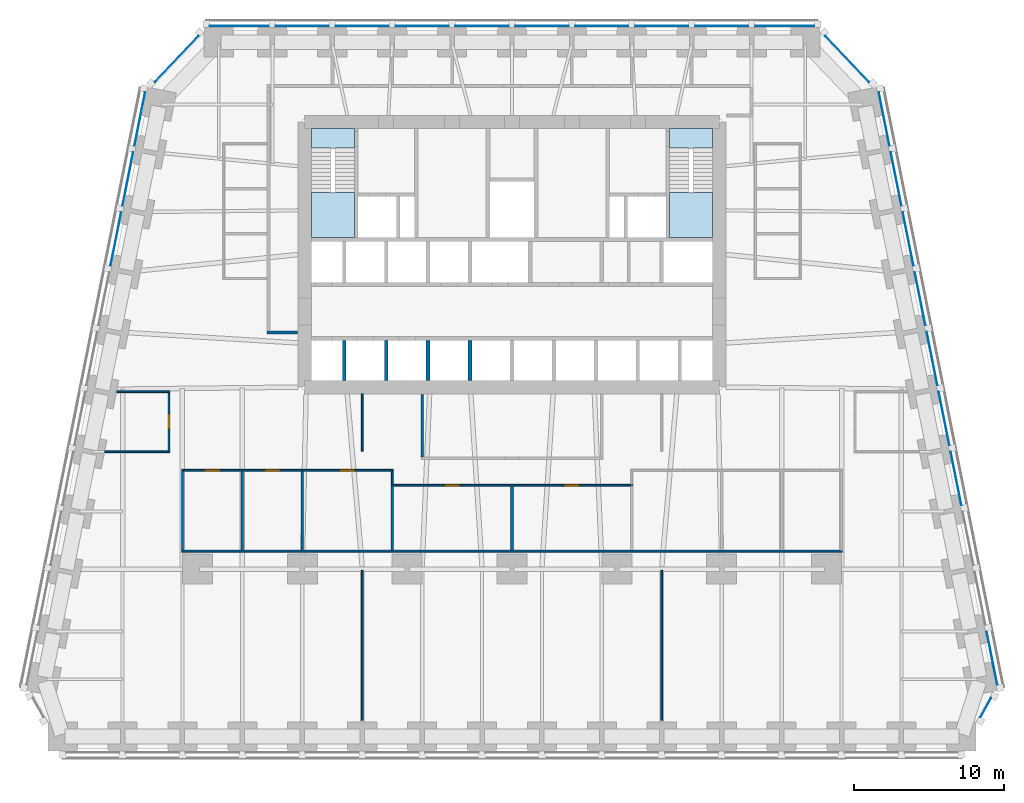
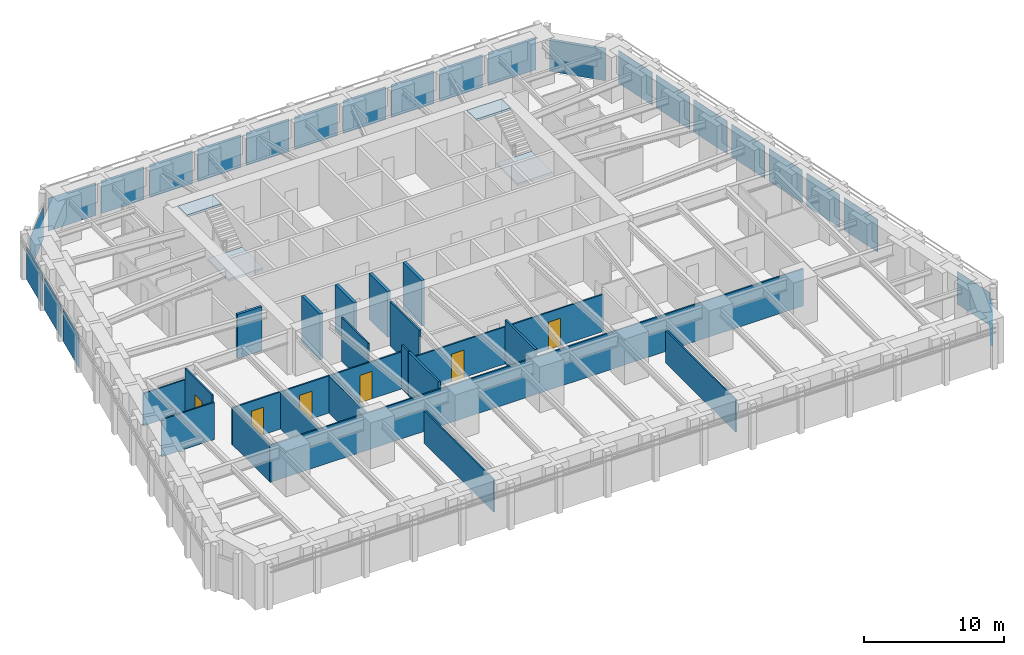
# One storey, part 5 of 10: 24 plates, 21 walls, 6 doors, 4 slabs, 6 openings, 8 elements without a shape of their own.
"""IFC4 building model written with IfcOpenShell, lengths in metres."""

from ifc_helpers import new_model, si_unit, direction, frame, frame_2d, origin, origin_2d, place, context, subcontext, project, spatial, polyline, rectangle, outline, extrude, material, layer, layer_set, type_object, element, fill, aggregate, save


model = new_model("IFC4")

# Units and contexts
model_context = context("Model", 3, precision=1e-05, world=origin(), true_north=direction((0.0, 1.0)))
body_context = subcontext(model_context, "Body", "Model", "MODEL_VIEW")
ifc_project = project(units=[si_unit("LENGTHUNIT", "METRE"), si_unit("AREAUNIT", "SQUARE_METRE"), si_unit("VOLUMEUNIT", "CUBIC_METRE"), si_unit("PLANEANGLEUNIT", "RADIAN"), si_unit("MASSUNIT", "GRAM", prefix="KILO")], contexts=[model_context])

# Site, building, storey
site_placement = place(None, origin())
site = spatial("IfcSite", under=ifc_project, at=site_placement, CompositionType="ELEMENT")
building_placement = place(site_placement, origin())
building = spatial("IfcBuilding", under=site, at=building_placement, Name="Isbrekke Arena Tower", CompositionType="ELEMENT")
storey_placement = place(building_placement, frame((0.0, 0.0, 72.0)))
storey = spatial("IfcBuildingStorey", under=building, at=storey_placement, Name="L15", CompositionType="ELEMENT", Elevation=72.0)

# Curtain wall, plate
ifc_material_1 = material(Name="Glazed aluminium curtain wall", Category="aluminium")
curtain_wall_type = type_object("IfcCurtainWallType", Name="CWL TOWER CURTAIN WALL LOW ZONE", PredefinedType="USERDEFINED", material=ifc_material_1)
curtain_wall_1_placement = place(storey_placement, origin())
curtain_wall_1 = element("IfcCurtainWall", 1, at=curtain_wall_1_placement, inside=storey, type_object=curtain_wall_type, Name="CWL curtain wall L15-SE", ObjectType="TOWER CURTAIN WALL LOW ZONE", PredefinedType="USERDEFINED")
ifc_material_2 = material(Name="Triple-glazed clear glass unit", Category="glass")
ifc_layer_1 = layer(ifc_material_2, 0.031982421875)
ifc_layer_set_1 = layer_set([ifc_layer_1], Name="CWL-P VISION PANEL")
plate_type = type_object("IfcPlateType", Name="CWL-P VISION PANEL", PredefinedType="CURTAIN_PANEL", material=ifc_layer_set_1)
plate_1_placement = place(storey_placement, frame((31.62744140625, -15.24853515625, 0.02001953125), z_axis=(0.0, 0.0, 1.0), x_axis=(0.481918749773, 0.876215908676, 0.0)))
plate_1 = element("IfcPlate", 2, at=plate_1_placement, type_object=plate_type, Name="CWL-P panel 1", PredefinedType="CURTAIN_PANEL", context=body_context, shape_type="SweptSolid", body=[
    extrude(rectangle(XDim=1.453369140625, YDim=0.031982421875, at=origin_2d()), origin(), (0.0, 0.0, 1.0), 2.8798828125),
])
aggregate(curtain_wall_1, [plate_1])

# Curtain wall, plates
curtain_wall_2_placement = place(storey_placement, origin())
curtain_wall_2 = element("IfcCurtainWall", 3, at=curtain_wall_2_placement, inside=storey, type_object=curtain_wall_type, Name="CWL curtain wall L15-E", ObjectType="TOWER CURTAIN WALL LOW ZONE", PredefinedType="USERDEFINED")
plate_2_placement = place(storey_placement, frame((32.045166015625, -11.950927734375, 0.02001953125), z_axis=(0.0, 0.0, 1.0), x_axis=(-0.196116135138, 0.980580675691, 0.0)))
plate_2 = element("IfcPlate", 4, at=plate_2_placement, type_object=plate_type, Name="CWL-P panel 1", PredefinedType="CURTAIN_PANEL", context=body_context, shape_type="SweptSolid", body=[
    extrude(rectangle(XDim=3.629150390625, YDim=0.031982421875, at=origin_2d()), origin(), (0.0, 0.0, 1.0), 2.8798828125),
])
plate_3_placement = place(storey_placement, frame((29.645263671875, 0.049072265625, 0.02001953125), z_axis=(0.0, 0.0, 1.0), x_axis=(-0.196116135138, 0.980580675691, 0.0)))
plate_3 = element("IfcPlate", 5, at=plate_3_placement, type_object=plate_type, Name="CWL-P panel 4", PredefinedType="CURTAIN_PANEL", context=body_context, shape_type="SweptSolid", body=[
    extrude(rectangle(XDim=3.629150390625, YDim=0.031982421875, at=origin_2d()), origin(), (0.0, 0.0, 1.0), 2.8798828125),
])
plate_4_placement = place(storey_placement, frame((28.84521484375, 4.049072265625, 0.02001953125), z_axis=(0.0, 0.0, 1.0), x_axis=(-0.196116135138, 0.980580675691, 0.0)))
plate_4 = element("IfcPlate", 6, at=plate_4_placement, type_object=plate_type, Name="CWL-P panel 5", PredefinedType="CURTAIN_PANEL", context=body_context, shape_type="SweptSolid", body=[
    extrude(rectangle(XDim=3.629150390625, YDim=0.031982421875, at=origin_2d()), origin(), (0.0, 0.0, 1.0), 2.8798828125),
])
plate_5_placement = place(storey_placement, frame((28.045166015625, 8.049072265625, 0.02001953125), z_axis=(0.0, 0.0, 1.0), x_axis=(-0.196116135138, 0.980580675691, 0.0)))
plate_5 = element("IfcPlate", 7, at=plate_5_placement, type_object=plate_type, Name="CWL-P panel 6", PredefinedType="CURTAIN_PANEL", context=body_context, shape_type="SweptSolid", body=[
    extrude(rectangle(XDim=3.629150390625, YDim=0.031982421875, at=origin_2d()), origin(), (0.0, 0.0, 1.0), 2.8798828125),
])
plate_6_placement = place(storey_placement, frame((27.2451171875, 12.049072265625, 0.02001953125), z_axis=(0.0, 0.0, 1.0), x_axis=(-0.196116135138, 0.980580675691, 0.0)))
plate_6 = element("IfcPlate", 8, at=plate_6_placement, type_object=plate_type, Name="CWL-P panel 7", PredefinedType="CURTAIN_PANEL", context=body_context, shape_type="SweptSolid", body=[
    extrude(rectangle(XDim=3.629150390625, YDim=0.031982421875, at=origin_2d()), origin(), (0.0, 0.0, 1.0), 2.8798828125),
])
plate_7_placement = place(storey_placement, frame((26.445068359375, 16.049072265625, 0.02001953125), z_axis=(0.0, 0.0, 1.0), x_axis=(-0.196116135138, 0.980580675691, 0.0)))
plate_7 = element("IfcPlate", 9, at=plate_7_placement, type_object=plate_type, Name="CWL-P panel 8", PredefinedType="CURTAIN_PANEL", context=body_context, shape_type="SweptSolid", body=[
    extrude(rectangle(XDim=3.629150390625, YDim=0.031982421875, at=origin_2d()), origin(), (0.0, 0.0, 1.0), 2.8798828125),
])
plate_8_placement = place(storey_placement, frame((25.645263671875, 20.049072265625, 0.02001953125), z_axis=(0.0, 0.0, 1.0), x_axis=(-0.196116135138, 0.980580675691, 0.0)))
plate_8 = element("IfcPlate", 10, at=plate_8_placement, type_object=plate_type, Name="CWL-P panel 9", PredefinedType="CURTAIN_PANEL", context=body_context, shape_type="SweptSolid", body=[
    extrude(rectangle(XDim=3.629150390625, YDim=0.031982421875, at=origin_2d()), origin(), (0.0, 0.0, 1.0), 2.8798828125),
])
plate_9_placement = place(storey_placement, frame((24.84521484375, 24.049072265625, 0.02001953125), z_axis=(0.0, 0.0, 1.0), x_axis=(-0.196116135138, 0.980580675691, 0.0)))
plate_9 = element("IfcPlate", 11, at=plate_9_placement, type_object=plate_type, Name="CWL-P panel 10", PredefinedType="CURTAIN_PANEL", context=body_context, shape_type="SweptSolid", body=[
    extrude(rectangle(XDim=3.629150390625, YDim=0.031982421875, at=origin_2d()), origin(), (0.0, 0.0, 1.0), 2.8798828125),
])
aggregate(curtain_wall_2, [plate_2, plate_3, plate_4, plate_5, plate_6, plate_7, plate_8, plate_9])

# Curtain wall, plate
curtain_wall_3_placement = place(storey_placement, origin())
curtain_wall_3 = element("IfcCurtainWall", 12, at=curtain_wall_3_placement, inside=storey, type_object=curtain_wall_type, Name="CWL curtain wall L15-EN", ObjectType="TOWER CURTAIN WALL LOW ZONE", PredefinedType="USERDEFINED")
plate_10_placement = place(storey_placement, frame((22.386474609375, 28.05419921875, 0.02001953125), z_axis=(0.0, 0.0, 1.0), x_axis=(-0.68874946192, 0.72499943359, 0.0)))
plate_10 = element("IfcPlate", 13, at=plate_10_placement, type_object=plate_type, Name="CWL-P panel 1", PredefinedType="CURTAIN_PANEL", context=body_context, shape_type="SweptSolid", body=[
    extrude(rectangle(XDim=4.22900390625, YDim=0.031982421875, at=origin_2d()), origin(), (0.0, 0.0, 1.0), 2.8798828125),
])
aggregate(curtain_wall_3, [plate_10])

# Curtain wall, plates
curtain_wall_4_placement = place(storey_placement, origin())
curtain_wall_4 = element("IfcCurtainWall", 14, at=curtain_wall_4_placement, inside=storey, type_object=curtain_wall_type, Name="CWL curtain wall L15-N", ObjectType="TOWER CURTAIN WALL LOW ZONE", PredefinedType="USERDEFINED")
plate_11_placement = place(storey_placement, frame((18.199951171875, 30.25, 0.02001953125), z_axis=(0.0, 0.0, 1.0), x_axis=(-1.0, 0.0, 0.0)))
plate_11 = element("IfcPlate", 15, at=plate_11_placement, type_object=plate_type, Name="CWL-P panel 1", PredefinedType="CURTAIN_PANEL", context=body_context, shape_type="SweptSolid", body=[
    extrude(rectangle(XDim=3.949951171875, YDim=0.031982421875, at=origin_2d()), origin(), (0.0, 0.0, 1.0), 2.8798828125),
])
plate_12_placement = place(storey_placement, frame((14.0, 30.25, 0.02001953125), z_axis=(0.0, 0.0, 1.0), x_axis=(-1.0, 0.0, 0.0)))
plate_12 = element("IfcPlate", 16, at=plate_12_placement, type_object=plate_type, Name="CWL-P panel 2", PredefinedType="CURTAIN_PANEL", context=body_context, shape_type="SweptSolid", body=[
    extrude(rectangle(XDim=3.550048828125, YDim=0.031982421875, at=origin_2d()), origin(), (0.0, 0.0, 1.0), 2.8798828125),
])
plate_13_placement = place(storey_placement, frame((10.0, 30.25, 0.02001953125), z_axis=(0.0, 0.0, 1.0), x_axis=(-1.0, 0.0, 0.0)))
plate_13 = element("IfcPlate", 17, at=plate_13_placement, type_object=plate_type, Name="CWL-P panel 3", PredefinedType="CURTAIN_PANEL", context=body_context, shape_type="SweptSolid", body=[
    extrude(rectangle(XDim=3.550048828125, YDim=0.031982421875, at=origin_2d()), origin(), (0.0, 0.0, 1.0), 2.8798828125),
])
plate_14_placement = place(storey_placement, frame((6.0, 30.25, 0.02001953125), z_axis=(0.0, 0.0, 1.0), x_axis=(-1.0, 0.0, 0.0)))
plate_14 = element("IfcPlate", 18, at=plate_14_placement, type_object=plate_type, Name="CWL-P panel 4", PredefinedType="CURTAIN_PANEL", context=body_context, shape_type="SweptSolid", body=[
    extrude(rectangle(XDim=3.550048828125, YDim=0.031982421875, at=origin_2d()), origin(), (0.0, 0.0, 1.0), 2.8798828125),
])
plate_15_placement = place(storey_placement, frame((2.0, 30.25, 0.02001953125), z_axis=(0.0, 0.0, 1.0), x_axis=(-1.0, 0.0, 0.0)))
plate_15 = element("IfcPlate", 19, at=plate_15_placement, type_object=plate_type, Name="CWL-P panel 5", PredefinedType="CURTAIN_PANEL", context=body_context, shape_type="SweptSolid", body=[
    extrude(rectangle(XDim=3.550048828125, YDim=0.031982421875, at=origin_2d()), origin(), (0.0, 0.0, 1.0), 2.8798828125),
])
plate_16_placement = place(storey_placement, frame((-2.0, 30.25, 0.02001953125), z_axis=(0.0, 0.0, 1.0), x_axis=(-1.0, 0.0, 0.0)))
plate_16 = element("IfcPlate", 20, at=plate_16_placement, type_object=plate_type, Name="CWL-P panel 6", PredefinedType="CURTAIN_PANEL", context=body_context, shape_type="SweptSolid", body=[
    extrude(rectangle(XDim=3.550048828125, YDim=0.031982421875, at=origin_2d()), origin(), (0.0, 0.0, 1.0), 2.8798828125),
])
plate_17_placement = place(storey_placement, frame((-6.0, 30.25, 0.02001953125), z_axis=(0.0, 0.0, 1.0), x_axis=(-1.0, 0.0, 0.0)))
plate_17 = element("IfcPlate", 21, at=plate_17_placement, type_object=plate_type, Name="CWL-P panel 7", PredefinedType="CURTAIN_PANEL", context=body_context, shape_type="SweptSolid", body=[
    extrude(rectangle(XDim=3.550048828125, YDim=0.031982421875, at=origin_2d()), origin(), (0.0, 0.0, 1.0), 2.8798828125),
])
plate_18_placement = place(storey_placement, frame((-10.0, 30.25, 0.02001953125), z_axis=(0.0, 0.0, 1.0), x_axis=(-1.0, 0.0, 0.0)))
plate_18 = element("IfcPlate", 22, at=plate_18_placement, type_object=plate_type, Name="CWL-P panel 8", PredefinedType="CURTAIN_PANEL", context=body_context, shape_type="SweptSolid", body=[
    extrude(rectangle(XDim=3.550048828125, YDim=0.031982421875, at=origin_2d()), origin(), (0.0, 0.0, 1.0), 2.8798828125),
])
plate_19_placement = place(storey_placement, frame((-14.0, 30.25, 0.02001953125), z_axis=(0.0, 0.0, 1.0), x_axis=(-1.0, 0.0, 0.0)))
plate_19 = element("IfcPlate", 23, at=plate_19_placement, type_object=plate_type, Name="CWL-P panel 9", PredefinedType="CURTAIN_PANEL", context=body_context, shape_type="SweptSolid", body=[
    extrude(rectangle(XDim=3.550048828125, YDim=0.031982421875, at=origin_2d()), origin(), (0.0, 0.0, 1.0), 2.8798828125),
])
plate_20_placement = place(storey_placement, frame((-18.199951171875, 30.25, 0.02001953125), z_axis=(0.0, 0.0, 1.0), x_axis=(-1.0, 0.0, 0.0)))
plate_20 = element("IfcPlate", 24, at=plate_20_placement, type_object=plate_type, Name="CWL-P panel 10", PredefinedType="CURTAIN_PANEL", context=body_context, shape_type="SweptSolid", body=[
    extrude(rectangle(XDim=3.949951171875, YDim=0.031982421875, at=origin_2d()), origin(), (0.0, 0.0, 1.0), 2.8798828125),
])
aggregate(curtain_wall_4, [plate_11, plate_12, plate_13, plate_14, plate_15, plate_16, plate_17, plate_18, plate_19, plate_20])

# Curtain wall, plate
curtain_wall_5_placement = place(storey_placement, origin())
curtain_wall_5 = element("IfcCurtainWall", 25, at=curtain_wall_5_placement, inside=storey, type_object=curtain_wall_type, Name="CWL curtain wall L15-NW", ObjectType="TOWER CURTAIN WALL LOW ZONE", PredefinedType="USERDEFINED")
plate_21_placement = place(storey_placement, frame((-22.38623046875, 28.054443359375, 0.02001953125), z_axis=(0.0, 0.0, 1.0), x_axis=(-0.68874946192, -0.72499943359, 0.0)))
plate_21 = element("IfcPlate", 26, at=plate_21_placement, type_object=plate_type, Name="CWL-P panel 1", PredefinedType="CURTAIN_PANEL", context=body_context, shape_type="SweptSolid", body=[
    extrude(rectangle(XDim=4.22802734375, YDim=0.031982421875, at=origin_2d()), origin(), (0.0, 0.0, 1.0), 2.8798828125),
])
aggregate(curtain_wall_5, [plate_21])

# Curtain wall, plates
curtain_wall_6_placement = place(storey_placement, origin())
curtain_wall_6 = element("IfcCurtainWall", 27, at=curtain_wall_6_placement, inside=storey, type_object=curtain_wall_type, Name="CWL curtain wall L15-W", ObjectType="TOWER CURTAIN WALL LOW ZONE", PredefinedType="USERDEFINED")
plate_22_placement = place(storey_placement, frame((-24.84521484375, 24.049072265625, 0.02001953125), z_axis=(0.0, 0.0, 1.0), x_axis=(-0.196116135138, -0.980580675691, 0.0)))
plate_22 = element("IfcPlate", 28, at=plate_22_placement, type_object=plate_type, Name="CWL-P panel 1", PredefinedType="CURTAIN_PANEL", context=body_context, shape_type="SweptSolid", body=[
    extrude(rectangle(XDim=3.629150390625, YDim=0.031982421875, at=origin_2d()), origin(), (0.0, 0.0, 1.0), 2.8798828125),
])
plate_23_placement = place(storey_placement, frame((-25.645263671875, 20.049072265625, 0.02001953125), z_axis=(0.0, 0.0, 1.0), x_axis=(-0.196116135138, -0.980580675691, 0.0)))
plate_23 = element("IfcPlate", 29, at=plate_23_placement, type_object=plate_type, Name="CWL-P panel 2", PredefinedType="CURTAIN_PANEL", context=body_context, shape_type="SweptSolid", body=[
    extrude(rectangle(XDim=3.629150390625, YDim=0.031982421875, at=origin_2d()), origin(), (0.0, 0.0, 1.0), 2.8798828125),
])
plate_24_placement = place(storey_placement, frame((-26.445068359375, 16.049072265625, 0.02001953125), z_axis=(0.0, 0.0, 1.0), x_axis=(-0.196116135138, -0.980580675691, 0.0)))
plate_24 = element("IfcPlate", 30, at=plate_24_placement, type_object=plate_type, Name="CWL-P panel 3", PredefinedType="CURTAIN_PANEL", context=body_context, shape_type="SweptSolid", body=[
    extrude(rectangle(XDim=3.629150390625, YDim=0.031982421875, at=origin_2d()), origin(), (0.0, 0.0, 1.0), 2.8798828125),
])
aggregate(curtain_wall_6, [plate_22, plate_23, plate_24])

# Stair, slabs
ifc_material_3 = material(Name="Concrete B45 (C45/55) precast", Category="concrete")
stair_type = type_object("IfcStairType", Name="ST40 STAIR 1300 WIDE, 24 RISERS 167", PredefinedType="HALF_TURN_STAIR", material=ifc_material_3)
stair_1_placement = place(storey_placement, origin())
stair_1 = element("IfcStair", 31, at=stair_1_placement, inside=storey, type_object=stair_type, Name="ST1 stair L15", PredefinedType="HALF_TURN_STAIR")
ifc_material_4 = material(Name="Concrete B35 (C35/45)", Category="concrete")
ifc_layer_2 = layer(ifc_material_4, 0.199951171875)
ifc_layer_set_2 = layer_set([ifc_layer_2], Name="SL1 STAIR LANDING 200")
slab_type = type_object("IfcSlabType", Name="SL1 STAIR LANDING 200", PredefinedType="LANDING", material=ifc_layer_set_2)
slab_1_placement = place(storey_placement, frame((0.0, 0.0, 1.800048828125)))
slab_1 = element("IfcSlab", 32, at=slab_1_placement, type_object=slab_type, Name="ST1 landing 1", PredefinedType="LANDING", context=body_context, shape_type="SweptSolid", body=[
    extrude(outline(polyline([(-13.39990234375, 16.125), (-10.52490234375, 16.125), (-10.52490234375, 19.1298828125), (-13.39990234375, 19.1298828125), (-13.39990234375, 16.125)])), origin(), (0.0, 0.0, 1.0), 0.199951171875),
])
slab_2_placement = place(storey_placement, frame((0.0, 0.0, 3.800048828125)))
slab_2 = element("IfcSlab", 33, at=slab_2_placement, type_object=slab_type, Name="ST1 landing 2", PredefinedType="LANDING", context=body_context, shape_type="SweptSolid", body=[
    extrude(outline(polyline([(-13.39990234375, 22.10009765625), (-10.52490234375, 22.10009765625), (-10.52490234375, 23.39990234375), (-13.39990234375, 23.39990234375), (-13.39990234375, 22.10009765625)])), origin(), (0.0, 0.0, 1.0), 0.199951171875),
])
aggregate(stair_1, [slab_1, slab_2])

stair_2_placement = place(storey_placement, origin())
stair_2 = element("IfcStair", 34, at=stair_2_placement, inside=storey, type_object=stair_type, Name="ST2 stair L15", PredefinedType="HALF_TURN_STAIR")
slab_3_placement = place(storey_placement, frame((0.0, 0.0, 1.800048828125)))
slab_3 = element("IfcSlab", 35, at=slab_3_placement, type_object=slab_type, Name="ST2 landing 1", PredefinedType="LANDING", context=body_context, shape_type="SweptSolid", body=[
    extrude(outline(polyline([(10.52490234375, 16.125), (13.39990234375, 16.125), (13.39990234375, 19.1298828125), (10.52490234375, 19.1298828125), (10.52490234375, 16.125)])), origin(), (0.0, 0.0, 1.0), 0.199951171875),
])
slab_4_placement = place(storey_placement, frame((0.0, 0.0, 3.800048828125)))
slab_4 = element("IfcSlab", 36, at=slab_4_placement, type_object=slab_type, Name="ST2 landing 2", PredefinedType="LANDING", context=body_context, shape_type="SweptSolid", body=[
    extrude(outline(polyline([(10.52490234375, 22.10009765625), (13.39990234375, 22.10009765625), (13.39990234375, 23.39990234375), (10.52490234375, 23.39990234375), (10.52490234375, 22.10009765625)])), origin(), (0.0, 0.0, 1.0), 0.199951171875),
])
aggregate(stair_2, [slab_3, slab_4])

# Walls
ifc_material_5 = material(Name="Concrete B45 (C45/55)", Category="concrete")
ifc_layer_3 = layer(ifc_material_5, 0.25)
ifc_layer_set_3 = layer_set([ifc_layer_3], Name="CW6 SHAFT WALL 250")
wall_type_1 = type_object("IfcWallType", Name="CW6 SHAFT WALL 250", PredefinedType="SHEAR", material=ifc_layer_set_3)
for number, where, z_axis, x_axis, name in (
    (37, (-11.199951171875, 6.60009765625, 0.0), (0.0, 0.0, 1.0), (0.0, 1.0, 0.0), "Core wall SS01 L15"),
    (38, (-8.39990234375, 6.60009765625, 0.0), (0.0, 0.0, 1.0), (0.0, 1.0, 0.0), "Core wall SS02 L15"),
    (39, (-5.60009765625, 6.60009765625, 0.0), (0.0, 0.0, 1.0), (0.0, 1.0, 0.0), "Core wall SS03 L15"),
    (40, (-2.800048828125, 6.60009765625, 0.0), (0.0, 0.0, 1.0), (0.0, 1.0, 0.0), "Core wall SS04 L15"),
):
    element("IfcWall", number, at=place(storey_placement, frame(where, z_axis=z_axis, x_axis=x_axis)), inside=storey, type_object=wall_type_1, Name=name, PredefinedType="SHEAR", context=body_context, shape_type="SweptSolid", body=[
        extrude(rectangle(XDim=2.6748046875, YDim=0.25, at=frame_2d((1.33740234375, 0.0))), origin(), (0.0, 0.0, 1.0), 4.0),
    ])
ifc_material_6 = material(Name="Gypsum board partition on steel studs", Category="steel")
ifc_layer_4 = layer(ifc_material_6, 0.14990234375)
ifc_layer_set_4 = layer_set([ifc_layer_4], Name="IW1 PARTITION 150")
wall_type_2 = type_object("IfcWallType", Name="IW1 PARTITION 150", PredefinedType="PARTITIONING", material=ifc_layer_set_4)
wall_1_placement = place(storey_placement, frame((-6.0, 1.47509765625, 0.0), z_axis=(0.0, 0.0, 1.0), x_axis=(0.0, 1.0, 0.0)))
element("IfcWall", 41, at=wall_1_placement, inside=storey, type_object=wall_type_2, Name="IW1 partition 150 L15", PredefinedType="PARTITIONING", context=body_context, shape_type="SweptSolid", body=[
    extrude(rectangle(XDim=4.19482421875, YDim=0.14990234375, at=frame_2d((2.097412109375, 0.0))), origin(), (0.0, 0.0, 1.0), 3.85009765625),
])
ifc_material_7 = material(Name="Frameless glazed partition, laminated acoustic glass", Category="glass")
ifc_layer_5 = layer(ifc_material_7, 0.1201171875)
ifc_layer_set_5 = layer_set([ifc_layer_5], Name="IW2 GLAZED PARTITION 120")
wall_type_3 = type_object("IfcWallType", Name="IW2 GLAZED PARTITION 120", PredefinedType="PARTITIONING", material=ifc_layer_set_5)
wall_2_placement = place(storey_placement, frame((-22.06005859375, -4.800048828125, 0.0), z_axis=(0.0, 0.0, 1.0), x_axis=(1.0, 0.0, 0.0)))
element("IfcWall", 42, at=wall_2_placement, inside=storey, type_object=wall_type_3, Name="IW2 glazed partition 120 L15", PredefinedType="PARTITIONING", context=body_context, shape_type="SweptSolid", body=[
    extrude(rectangle(XDim=44.1201171875, YDim=0.1201171875, at=frame_2d((22.06005859375, 0.0))), origin(), (0.0, 0.0, 1.0), 3.25),
])

# Wall, openings, doors
wall_3_placement = place(storey_placement, frame((-8.06005859375, -0.39990234375, 0.0), z_axis=(0.0, 0.0, 1.0), x_axis=(1.0, 0.0, 0.0)))
wall_3 = element("IfcWall", 43, at=wall_3_placement, inside=storey, type_object=wall_type_3, Name="IW2 glazed partition 120 L15", PredefinedType="PARTITIONING", context=body_context, shape_type="SweptSolid", body=[
    extrude(rectangle(XDim=16.1201171875, YDim=0.1201171875, at=frame_2d((8.06005859375, 0.0))), origin(), (0.0, 0.0, 1.0), 3.25),
])
opening_1_placement = place(wall_3_placement, frame((3.56005859375, 0.0, 0.0)))
opening_1 = element("IfcOpeningElement", 44, at=opening_1_placement, cuts=wall_3, Name="Opening D11", PredefinedType="OPENING", context=body_context, shape_type="SweptSolid", body=[
    extrude(rectangle(XDim=1.0, YDim=2.39990234375, at=frame_2d((0.5, 1.199951171875))), frame((0.0, 0.074951171875, 0.0), z_axis=(0.0, -1.0, 0.0), x_axis=(1.0, 0.0, 0.0)), (0.0, 0.0, 1.0), 0.14990234375),
])
opening_2_placement = place(wall_3_placement, frame((11.56005859375, 0.0, 0.0)))
opening_2 = element("IfcOpeningElement", 45, at=opening_2_placement, cuts=wall_3, Name="Opening D11", PredefinedType="OPENING", context=body_context, shape_type="SweptSolid", body=[
    extrude(rectangle(XDim=1.0, YDim=2.39990234375, at=frame_2d((0.5, 1.199951171875))), frame((0.0, 0.074951171875, 0.0), z_axis=(0.0, -1.0, 0.0), x_axis=(1.0, 0.0, 0.0)), (0.0, 0.0, 1.0), 0.14990234375),
])
ifc_material_8 = material(Name="Frameless glazed door", Category="glass")
door_type = type_object("IfcDoorType", Name="D11 GLAZED MEETING ROOM DOOR 1000 x 2400", OperationType="SINGLE_SWING_RIGHT", PredefinedType="DOOR", material=ifc_material_8)
door_1_placement = place(opening_1_placement, origin())
door_1 = element("IfcDoor", 46, at=door_1_placement, inside=storey, type_object=door_type, Name="D11 meeting room door L15", OperationType="SINGLE_SWING_RIGHT", OverallHeight=2.39990234375, OverallWidth=1.0, PredefinedType="DOOR", context=body_context, shape_type="SweptSolid", body=[
    extrude(rectangle(XDim=1.0, YDim=2.39990234375, at=frame_2d((0.5, 1.199951171875))), frame((0.0, 0.059814453125, 0.0), z_axis=(0.0, -1.0, 0.0), x_axis=(1.0, 0.0, 0.0)), (0.0, 0.0, 1.0), 0.11962890625),
])
fill(opening_1, door_1)
door_2_placement = place(opening_2_placement, origin())
door_2 = element("IfcDoor", 47, at=door_2_placement, inside=storey, type_object=door_type, Name="D11 meeting room door L15", OperationType="SINGLE_SWING_RIGHT", OverallHeight=2.39990234375, OverallWidth=1.0, PredefinedType="DOOR", context=body_context, shape_type="SweptSolid", body=[
    extrude(rectangle(XDim=1.0, YDim=2.39990234375, at=frame_2d((0.5, 1.199951171875))), frame((0.0, 0.059814453125, 0.0), z_axis=(0.0, -1.0, 0.0), x_axis=(1.0, 0.0, 0.0)), (0.0, 0.0, 1.0), 0.11962890625),
])
fill(opening_2, door_2)

wall_4_placement = place(storey_placement, frame((-22.06005859375, 0.60009765625, 0.0), z_axis=(0.0, 0.0, 1.0), x_axis=(1.0, 0.0, 0.0)))
wall_4 = element("IfcWall", 48, at=wall_4_placement, inside=storey, type_object=wall_type_3, Name="IW2 glazed partition 120 L15", PredefinedType="PARTITIONING", context=body_context, shape_type="SweptSolid", body=[
    extrude(rectangle(XDim=14.1201171875, YDim=0.1201171875, at=frame_2d((7.06005859375, 0.0))), origin(), (0.0, 0.0, 1.0), 3.25),
])
opening_3_placement = place(wall_4_placement, frame((1.56005859375, 0.0, 0.0)))
opening_3 = element("IfcOpeningElement", 49, at=opening_3_placement, cuts=wall_4, Name="Opening D11", PredefinedType="OPENING", context=body_context, shape_type="SweptSolid", body=[
    extrude(rectangle(XDim=1.0, YDim=2.39990234375, at=frame_2d((0.5, 1.199951171875))), frame((0.0, 0.074951171875, 0.0), z_axis=(0.0, -1.0, 0.0), x_axis=(1.0, 0.0, 0.0)), (0.0, 0.0, 1.0), 0.14990234375),
])
opening_4_placement = place(wall_4_placement, frame((5.56005859375, 0.0, 0.0)))
opening_4 = element("IfcOpeningElement", 50, at=opening_4_placement, cuts=wall_4, Name="Opening D11", PredefinedType="OPENING", context=body_context, shape_type="SweptSolid", body=[
    extrude(rectangle(XDim=1.0, YDim=2.39990234375, at=frame_2d((0.5, 1.199951171875))), frame((0.0, 0.074951171875, 0.0), z_axis=(0.0, -1.0, 0.0), x_axis=(1.0, 0.0, 0.0)), (0.0, 0.0, 1.0), 0.14990234375),
])
opening_5_placement = place(wall_4_placement, frame((10.56005859375, 0.0, 0.0)))
opening_5 = element("IfcOpeningElement", 51, at=opening_5_placement, cuts=wall_4, Name="Opening D11", PredefinedType="OPENING", context=body_context, shape_type="SweptSolid", body=[
    extrude(rectangle(XDim=1.0, YDim=2.39990234375, at=frame_2d((0.5, 1.199951171875))), frame((0.0, 0.074951171875, 0.0), z_axis=(0.0, -1.0, 0.0), x_axis=(1.0, 0.0, 0.0)), (0.0, 0.0, 1.0), 0.14990234375),
])
door_3_placement = place(opening_3_placement, origin())
door_3 = element("IfcDoor", 52, at=door_3_placement, inside=storey, type_object=door_type, Name="D11 meeting room door L15", OperationType="SINGLE_SWING_RIGHT", OverallHeight=2.39990234375, OverallWidth=1.0, PredefinedType="DOOR", context=body_context, shape_type="SweptSolid", body=[
    extrude(rectangle(XDim=1.0, YDim=2.39990234375, at=frame_2d((0.5, 1.199951171875))), frame((0.0, 0.059814453125, 0.0), z_axis=(0.0, -1.0, 0.0), x_axis=(1.0, 0.0, 0.0)), (0.0, 0.0, 1.0), 0.11962890625),
])
fill(opening_3, door_3)
door_4_placement = place(opening_4_placement, origin())
door_4 = element("IfcDoor", 53, at=door_4_placement, inside=storey, type_object=door_type, Name="D11 meeting room door L15", OperationType="SINGLE_SWING_RIGHT", OverallHeight=2.39990234375, OverallWidth=1.0, PredefinedType="DOOR", context=body_context, shape_type="SweptSolid", body=[
    extrude(rectangle(XDim=1.0, YDim=2.39990234375, at=frame_2d((0.5, 1.199951171875))), frame((0.0, 0.059814453125, 0.0), z_axis=(0.0, -1.0, 0.0), x_axis=(1.0, 0.0, 0.0)), (0.0, 0.0, 1.0), 0.11962890625),
])
fill(opening_4, door_4)
door_5_placement = place(opening_5_placement, origin())
door_5 = element("IfcDoor", 54, at=door_5_placement, inside=storey, type_object=door_type, Name="D11 meeting room door L15", OperationType="SINGLE_SWING_RIGHT", OverallHeight=2.39990234375, OverallWidth=1.0, PredefinedType="DOOR", context=body_context, shape_type="SweptSolid", body=[
    extrude(rectangle(XDim=1.0, YDim=2.39990234375, at=frame_2d((0.5, 1.199951171875))), frame((0.0, 0.059814453125, 0.0), z_axis=(0.0, -1.0, 0.0), x_axis=(1.0, 0.0, 0.0)), (0.0, 0.0, 1.0), 0.11962890625),
])
fill(opening_5, door_5)

# Walls
wall_5_placement = place(storey_placement, frame((-27.1962890625, 1.840087890625, 0.0), z_axis=(0.0, 0.0, 1.0), x_axis=(1.0, 0.0, 0.0)))
element("IfcWall", 55, at=wall_5_placement, inside=storey, type_object=wall_type_3, Name="IW2 glazed partition 120 L15", PredefinedType="PARTITIONING", context=body_context, shape_type="SweptSolid", body=[
    extrude(rectangle(XDim=4.356201171875, YDim=0.1201171875, at=frame_2d((2.17822265625, 0.0))), origin(), (0.0, 0.0, 1.0), 3.25),
])
wall_6_placement = place(storey_placement, frame((-26.396484375, 5.840087890625, 0.0), z_axis=(0.0, 0.0, 1.0), x_axis=(1.0, 0.0, 0.0)))
element("IfcWall", 56, at=wall_6_placement, inside=storey, type_object=wall_type_3, Name="IW2 glazed partition 120 L15", PredefinedType="PARTITIONING", context=body_context, shape_type="SweptSolid", body=[
    extrude(rectangle(XDim=3.556396484375, YDim=0.1201171875, at=frame_2d((1.7783203125, 0.0))), origin(), (0.0, 0.0, 1.0), 2.842041015625),
])

# Wall, opening, door
wall_7_placement = place(storey_placement, frame((-22.89990234375, 1.89990234375, 0.0), z_axis=(0.0, 0.0, 1.0), x_axis=(0.0, 1.0, 0.0)))
wall_7 = element("IfcWall", 57, at=wall_7_placement, inside=storey, type_object=wall_type_3, Name="IW2 glazed partition 120 L15", PredefinedType="PARTITIONING", context=body_context, shape_type="SweptSolid", body=[
    extrude(rectangle(XDim=3.880126953125, YDim=0.1201171875, at=frame_2d((1.93994140625, 0.0))), origin(), (0.0, 0.0, 1.0), 3.85009765625),
])
opening_6_placement = place(wall_7_placement, frame((1.43994140625, 0.0, 0.0)))
opening_6 = element("IfcOpeningElement", 58, at=opening_6_placement, cuts=wall_7, Name="Opening D11", PredefinedType="OPENING", context=body_context, shape_type="SweptSolid", body=[
    extrude(rectangle(XDim=1.0, YDim=2.39990234375, at=frame_2d((0.5, 1.199951171875))), frame((0.0, 0.074951171875, 0.0), z_axis=(0.0, -1.0, 0.0), x_axis=(1.0, 0.0, 0.0)), (0.0, 0.0, 1.0), 0.14990234375),
])
door_6_placement = place(opening_6_placement, origin())
door_6 = element("IfcDoor", 59, at=door_6_placement, inside=storey, type_object=door_type, Name="D11 project room door L15", OperationType="SINGLE_SWING_RIGHT", OverallHeight=2.39990234375, OverallWidth=1.0, PredefinedType="DOOR", context=body_context, shape_type="SweptSolid", body=[
    extrude(rectangle(XDim=1.0, YDim=2.39990234375, at=frame_2d((0.5, 1.199951171875))), frame((0.0, 0.059814453125, 0.0), z_axis=(0.0, -1.0, 0.0), x_axis=(1.0, 0.0, 0.0)), (0.0, 0.0, 1.0), 0.11962890625),
])
fill(opening_6, door_6)

# Walls
wall_8_placement = place(storey_placement, frame((-22.0, -4.739990234375, 0.0), z_axis=(0.0, 0.0, 1.0), x_axis=(0.0, 1.0, 0.0)))
element("IfcWall", 60, at=wall_8_placement, inside=storey, type_object=wall_type_3, Name="IW2 glazed partition 120 L15", PredefinedType="PARTITIONING", context=body_context, shape_type="SweptSolid", body=[
    extrude(rectangle(XDim=5.280029296875, YDim=0.1201171875, at=frame_2d((2.64013671875, 0.0))), origin(), (0.0, 0.0, 1.0), 3.25),
])
wall_9_placement = place(storey_placement, frame((-8.0, -0.340087890625, 0.0), z_axis=(0.0, 0.0, 1.0), x_axis=(0.0, 1.0, 0.0)))
element("IfcWall", 61, at=wall_9_placement, inside=storey, type_object=wall_type_3, Name="IW2 glazed partition 120 L15", PredefinedType="PARTITIONING", context=body_context, shape_type="SweptSolid", body=[
    extrude(rectangle(XDim=0.880126953125, YDim=0.1201171875, at=frame_2d((0.43994140625, 0.0))), origin(), (0.0, 0.0, 1.0), 3.85009765625),
])
wall_10_placement = place(storey_placement, frame((-9.9990234375, -16.10009765625, 0.0), z_axis=(0.0, 0.0, 1.0), x_axis=(0.0, 1.0, 0.0)))
element("IfcWall", 62, at=wall_10_placement, inside=storey, type_object=wall_type_3, Name="IW2 glazed partition 120 L15", PredefinedType="PARTITIONING", context=body_context, shape_type="SweptSolid", body=[
    extrude(rectangle(XDim=10.02001953125, YDim=0.1201171875, at=frame_2d((5.010009765625, 0.0))), origin(), (0.0, 0.0, 1.0), 2.842041015625),
])
wall_11_placement = place(storey_placement, frame((-9.9990234375, 1.8798828125, 0.0), z_axis=(0.0, 0.0, 1.0), x_axis=(0.0, 1.0, 0.0)))
element("IfcWall", 63, at=wall_11_placement, inside=storey, type_object=wall_type_3, Name="IW2 glazed partition 120 L15", PredefinedType="PARTITIONING", context=body_context, shape_type="SweptSolid", body=[
    extrude(rectangle(XDim=3.820068359375, YDim=0.1201171875, at=frame_2d((1.91015625, 0.0))), origin(), (0.0, 0.0, 1.0), 3.85009765625),
])
wall_12_placement = place(storey_placement, frame((10.0009765625, -16.10009765625, 0.0), z_axis=(0.0, 0.0, 1.0), x_axis=(0.0, 1.0, 0.0)))
element("IfcWall", 64, at=wall_12_placement, inside=storey, type_object=wall_type_3, Name="IW2 glazed partition 120 L15", PredefinedType="PARTITIONING", context=body_context, shape_type="SweptSolid", body=[
    extrude(rectangle(XDim=10.02001953125, YDim=0.1201171875, at=frame_2d((5.010009765625, 0.0))), origin(), (0.0, 0.0, 1.0), 2.842041015625),
])
ifc_material_9 = material(Name="Gypsum board fire-cell wall on steel studs, two layers each side", Category="steel")
ifc_layer_6 = layer(ifc_material_9, 0.199951171875)
ifc_layer_set_6 = layer_set([ifc_layer_6], Name="IW3 FIRE-CELL WALL 200")
wall_type_4 = type_object("IfcWallType", Name="IW3 FIRE-CELL WALL 200", PredefinedType="PARTITIONING", material=ifc_layer_set_6)
wall_13_placement = place(storey_placement, frame((-16.35009765625, 9.800048828125, 0.0), z_axis=(0.0, 0.0, 1.0), x_axis=(1.0, 0.0, 0.0)))
element("IfcWall", 65, at=wall_13_placement, inside=storey, type_object=wall_type_4, Name="IW3 fire-cell wall 200 L15", PredefinedType="PARTITIONING", context=body_context, shape_type="SweptSolid", body=[
    extrude(rectangle(XDim=2.02001953125, YDim=0.199951171875, at=frame_2d((1.010009765625, 0.0))), origin(), (0.0, 0.0, 1.0), 3.85009765625),
])
ifc_material_10 = material(Name="Gypsum board acoustic partition on twin steel studs", Category="steel")
ifc_layer_7 = layer(ifc_material_10, 0.175048828125)
ifc_layer_set_7 = layer_set([ifc_layer_7], Name="IW4 ACOUSTIC PARTITION 175")
wall_type_5 = type_object("IfcWallType", Name="IW4 ACOUSTIC PARTITION 175", PredefinedType="PARTITIONING", material=ifc_layer_set_7)
for number, where, z_axis, x_axis, name in (
    (66, (-18.0, -4.739990234375, 0.0), (0.0, 0.0, 1.0), (0.0, 1.0, 0.0), "IW4 acoustic partition 175 L15"),
    (67, (-14.0, -4.739990234375, 0.0), (0.0, 0.0, 1.0), (0.0, 1.0, 0.0), "IW4 acoustic partition 175 L15"),
):
    element("IfcWall", number, at=place(storey_placement, frame(where, z_axis=z_axis, x_axis=x_axis)), inside=storey, type_object=wall_type_5, Name=name, PredefinedType="PARTITIONING", context=body_context, shape_type="SweptSolid", body=[
        extrude(rectangle(XDim=5.280029296875, YDim=0.175048828125, at=frame_2d((2.64013671875, 0.0))), origin(), (0.0, 0.0, 1.0), 3.25),
    ])
for number, where, z_axis, x_axis, name in (
    (68, (-8.0, -4.739990234375, 0.0), (0.0, 0.0, 1.0), (0.0, 1.0, 0.0), "IW4 acoustic partition 175 L15"),
    (69, (0.0, -4.739990234375, 0.0), (0.0, 0.0, 1.0), (0.0, 1.0, 0.0), "IW4 acoustic partition 175 L15"),
):
    element("IfcWall", number, at=place(storey_placement, frame(where, z_axis=z_axis, x_axis=x_axis)), inside=storey, type_object=wall_type_5, Name=name, PredefinedType="PARTITIONING", context=body_context, shape_type="SweptSolid", body=[
        extrude(rectangle(XDim=4.280029296875, YDim=0.175048828125, at=frame_2d((2.14013671875, 0.0))), origin(), (0.0, 0.0, 1.0), 3.85009765625),
    ])

save(model, "model.ifc")
